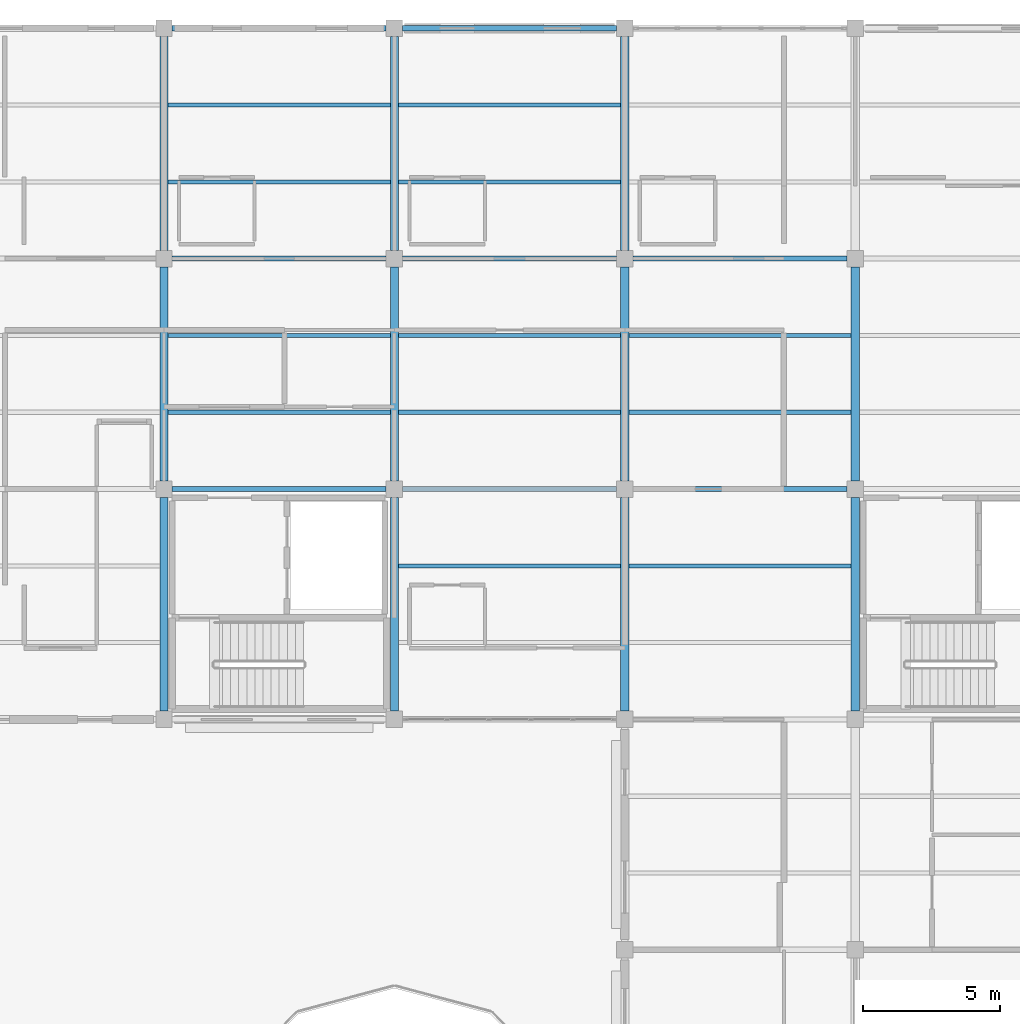
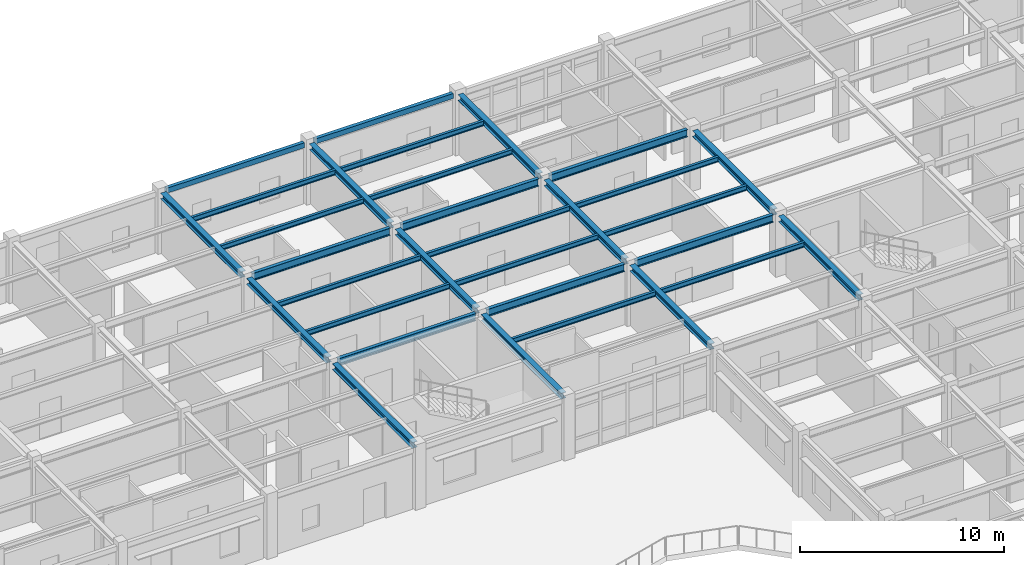
# One storey, part 26 of 86: 31 beams.
"""IFC4 building model written with IfcOpenShell, lengths in metres."""

from ifc_helpers import new_model, si_unit, direction, frame, origin, origin_2d, place, context, subcontext, project, spatial, hollow_rectangle, i_section, extrude, material, material_profile, profile_set, type_object, element, save


model = new_model("IFC4")

# Units and contexts
model_context = context("Model", 3, precision=1e-05, world=origin(), true_north=direction((0.0, 1.0)))
body_context = subcontext(model_context, "Body", "Model", "MODEL_VIEW")
ifc_project = project(units=[si_unit("LENGTHUNIT", "METRE"), si_unit("AREAUNIT", "SQUARE_METRE"), si_unit("VOLUMEUNIT", "CUBIC_METRE"), si_unit("PLANEANGLEUNIT", "RADIAN"), si_unit("MASSUNIT", "GRAM", prefix="KILO")], contexts=[model_context])

# Site, building, storey
site_placement = place(None, origin())
site = spatial("IfcSite", under=ifc_project, at=site_placement, CompositionType="ELEMENT")
building_placement = place(site_placement, origin())
building = spatial("IfcBuilding", under=site, at=building_placement, Name="Bramfleet General Hospital", CompositionType="ELEMENT")
storey_placement = place(building_placement, frame((0.0, 0.0, 18.60009765625)))
storey = spatial("IfcBuildingStorey", under=building, at=storey_placement, Name="L04", CompositionType="ELEMENT", Elevation=18.60009765625)

# Beams
ifc_material = material(Name="Steel S355", Category="steel")
ifc_material_profile_1 = material_profile(ifc_material, i_section(OverallWidth=0.300048828125, OverallDepth=0.35009765625, WebThickness=0.010009765625, FlangeThickness=0.017578125, FilletRadius=0.027099609375, at=origin_2d()), Name="HEA 360")
ifc_profile_set_1 = profile_set([ifc_material_profile_1], Name="Steel S355")
beam_type_1 = type_object("IfcBeamType", Name="BM-HEA360", PredefinedType="BEAM", material=ifc_profile_set_1)
beam_1_placement = place(storey_placement, frame((75.60009765625, 92.699951171875, 3.44482421875), z_axis=(0.0, 1.0, 0.0), x_axis=(-1.0, 0.0, 0.0)))
element("IfcBeam", 1, at=beam_1_placement, inside=storey, type_object=beam_type_1, Name="L04 Grid Beam Y 09-11", PredefinedType="BEAM", context=body_context, shape_type="SweptSolid", body=[
    extrude(i_section(OverallWidth=0.300048828125, OverallDepth=0.35009765625, WebThickness=0.010009765625, FlangeThickness=0.017578125, FilletRadius=0.027099609375, at=origin_2d()), origin(), (0.0, 0.0, 1.0), 7.800048828125),
])
beam_2_placement = place(storey_placement, frame((75.60009765625, 101.10009765625, 3.44482421875), z_axis=(0.0, 1.0, 0.0), x_axis=(-1.0, 0.0, 0.0)))
element("IfcBeam", 2, at=beam_2_placement, inside=storey, type_object=beam_type_1, Name="L04 Grid Beam Y 09-12", PredefinedType="BEAM", context=body_context, shape_type="SweptSolid", body=[
    extrude(i_section(OverallWidth=0.300048828125, OverallDepth=0.35009765625, WebThickness=0.010009765625, FlangeThickness=0.017578125, FilletRadius=0.027099609375, at=origin_2d()), origin(), (0.0, 0.0, 1.0), 7.7998046875),
])
for number, where, z_axis, x_axis, name in (
    (3, (75.60009765625, 109.5, 3.44482421875), (0.0, 1.0, 0.0), (-1.0, 0.0, 0.0), "L04 Grid Beam Y 09-13"),
    (4, (84.0, 92.699951171875, 3.44482421875), (0.0, 1.0, 0.0), (-1.0, 0.0, 0.0), "L04 Grid Beam Y 10-11"),
):
    element("IfcBeam", number, at=place(storey_placement, frame(where, z_axis=z_axis, x_axis=x_axis)), inside=storey, type_object=beam_type_1, Name=name, PredefinedType="BEAM", context=body_context, shape_type="SweptSolid", body=[
        extrude(i_section(OverallWidth=0.300048828125, OverallDepth=0.35009765625, WebThickness=0.010009765625, FlangeThickness=0.017578125, FilletRadius=0.027099609375, at=origin_2d()), origin(), (0.0, 0.0, 1.0), 7.800048828125),
    ])
beam_3_placement = place(storey_placement, frame((84.0, 101.10009765625, 3.44482421875), z_axis=(0.0, 1.0, 0.0), x_axis=(-1.0, 0.0, 0.0)))
element("IfcBeam", 5, at=beam_3_placement, inside=storey, type_object=beam_type_1, Name="L04 Grid Beam Y 10-12", PredefinedType="BEAM", context=body_context, shape_type="SweptSolid", body=[
    extrude(i_section(OverallWidth=0.300048828125, OverallDepth=0.35009765625, WebThickness=0.010009765625, FlangeThickness=0.017578125, FilletRadius=0.027099609375, at=origin_2d()), origin(), (0.0, 0.0, 1.0), 7.7998046875),
])
for number, where, z_axis, x_axis, name in (
    (6, (84.0, 109.5, 3.44482421875), (0.0, 1.0, 0.0), (-1.0, 0.0, 0.0), "L04 Grid Beam Y 10-13"),
    (7, (92.39990234375, 92.699951171875, 3.44482421875), (0.0, 1.0, 0.0), (-1.0, 0.0, 0.0), "L04 Grid Beam Y 11-11"),
):
    element("IfcBeam", number, at=place(storey_placement, frame(where, z_axis=z_axis, x_axis=x_axis)), inside=storey, type_object=beam_type_1, Name=name, PredefinedType="BEAM", context=body_context, shape_type="SweptSolid", body=[
        extrude(i_section(OverallWidth=0.300048828125, OverallDepth=0.35009765625, WebThickness=0.010009765625, FlangeThickness=0.017578125, FilletRadius=0.027099609375, at=origin_2d()), origin(), (0.0, 0.0, 1.0), 7.800048828125),
    ])
beam_4_placement = place(storey_placement, frame((92.39990234375, 101.10009765625, 3.44482421875), z_axis=(0.0, 1.0, 0.0), x_axis=(-1.0, 0.0, 0.0)))
element("IfcBeam", 8, at=beam_4_placement, inside=storey, type_object=beam_type_1, Name="L04 Grid Beam Y 11-12", PredefinedType="BEAM", context=body_context, shape_type="SweptSolid", body=[
    extrude(i_section(OverallWidth=0.300048828125, OverallDepth=0.35009765625, WebThickness=0.010009765625, FlangeThickness=0.017578125, FilletRadius=0.027099609375, at=origin_2d()), origin(), (0.0, 0.0, 1.0), 7.7998046875),
])
for number, where, z_axis, x_axis, name in (
    (9, (92.39990234375, 109.5, 3.44482421875), (0.0, 1.0, 0.0), (-1.0, 0.0, 0.0), "L04 Grid Beam Y 11-13"),
    (10, (100.800048828125, 92.699951171875, 3.44482421875), (0.0, 1.0, 0.0), (-1.0, 0.0, 0.0), "L04 Grid Beam Y 12-11"),
):
    element("IfcBeam", number, at=place(storey_placement, frame(where, z_axis=z_axis, x_axis=x_axis)), inside=storey, type_object=beam_type_1, Name=name, PredefinedType="BEAM", context=body_context, shape_type="SweptSolid", body=[
        extrude(i_section(OverallWidth=0.300048828125, OverallDepth=0.35009765625, WebThickness=0.010009765625, FlangeThickness=0.017578125, FilletRadius=0.027099609375, at=origin_2d()), origin(), (0.0, 0.0, 1.0), 7.800048828125),
    ])
beam_5_placement = place(storey_placement, frame((100.800048828125, 101.10009765625, 3.44482421875), z_axis=(0.0, 1.0, 0.0), x_axis=(-1.0, 0.0, 0.0)))
element("IfcBeam", 11, at=beam_5_placement, inside=storey, type_object=beam_type_1, Name="L04 Grid Beam Y 12-12", PredefinedType="BEAM", context=body_context, shape_type="SweptSolid", body=[
    extrude(i_section(OverallWidth=0.300048828125, OverallDepth=0.35009765625, WebThickness=0.010009765625, FlangeThickness=0.017578125, FilletRadius=0.027099609375, at=origin_2d()), origin(), (0.0, 0.0, 1.0), 7.7998046875),
])
ifc_material_profile_2 = material_profile(ifc_material, i_section(OverallWidth=0.14990234375, OverallDepth=0.300048828125, WebThickness=0.007080078125, FlangeThickness=0.0107421875, FilletRadius=0.014892578125, at=origin_2d()), Name="IPE 300")
ifc_profile_set_2 = profile_set([ifc_material_profile_2], Name="Steel S355")
beam_type_2 = type_object("IfcBeamType", Name="BM-IPE300", PredefinedType="JOIST", material=ifc_profile_set_2)
for number, where, z_axis, x_axis, name in (
    (12, (75.75, 103.60009765625, 3.469970703125), (1.0, 0.0, 0.0), (0.0, 1.0, 0.0), "L04 Secondary Joist 09-12-1"),
    (13, (75.75, 106.39990234375, 3.469970703125), (1.0, 0.0, 0.0), (0.0, 1.0, 0.0), "L04 Secondary Joist 09-12-2"),
    (14, (75.75, 112.0, 3.469970703125), (1.0, 0.0, 0.0), (0.0, 1.0, 0.0), "L04 Secondary Joist 09-13-1"),
    (15, (75.75, 114.800048828125, 3.469970703125), (1.0, 0.0, 0.0), (0.0, 1.0, 0.0), "L04 Secondary Joist 09-13-2"),
    (16, (84.14990234375, 98.0, 3.469970703125), (1.0, 0.0, 0.0), (0.0, 1.0, 0.0), "L04 Secondary Joist 10-11-2"),
    (17, (84.14990234375, 103.60009765625, 3.469970703125), (1.0, 0.0, 0.0), (0.0, 1.0, 0.0), "L04 Secondary Joist 10-12-1"),
    (18, (84.14990234375, 106.39990234375, 3.469970703125), (1.0, 0.0, 0.0), (0.0, 1.0, 0.0), "L04 Secondary Joist 10-12-2"),
    (19, (84.14990234375, 112.0, 3.469970703125), (1.0, 0.0, 0.0), (0.0, 1.0, 0.0), "L04 Secondary Joist 10-13-1"),
    (20, (84.14990234375, 114.800048828125, 3.469970703125), (1.0, 0.0, 0.0), (0.0, 1.0, 0.0), "L04 Secondary Joist 10-13-2"),
):
    element("IfcBeam", number, at=place(storey_placement, frame(where, z_axis=z_axis, x_axis=x_axis)), inside=storey, type_object=beam_type_2, Name=name, PredefinedType="JOIST", context=body_context, shape_type="SweptSolid", body=[
        extrude(i_section(OverallWidth=0.14990234375, OverallDepth=0.300048828125, WebThickness=0.007080078125, FlangeThickness=0.0107421875, FilletRadius=0.014892578125, at=origin_2d()), origin(), (0.0, 0.0, 1.0), 8.10009765625),
    ])
for number, where, z_axis, x_axis, name in (
    (21, (92.550048828125, 98.0, 3.469970703125), (1.0, 0.0, 0.0), (0.0, 1.0, 0.0), "L04 Secondary Joist 11-11-2"),
    (22, (92.550048828125, 103.60009765625, 3.469970703125), (1.0, 0.0, 0.0), (0.0, 1.0, 0.0), "L04 Secondary Joist 11-12-1"),
    (23, (92.550048828125, 106.39990234375, 3.469970703125), (1.0, 0.0, 0.0), (0.0, 1.0, 0.0), "L04 Secondary Joist 11-12-2"),
):
    element("IfcBeam", number, at=place(storey_placement, frame(where, z_axis=z_axis, x_axis=x_axis)), inside=storey, type_object=beam_type_2, Name=name, PredefinedType="JOIST", context=body_context, shape_type="SweptSolid", body=[
        extrude(i_section(OverallWidth=0.14990234375, OverallDepth=0.300048828125, WebThickness=0.007080078125, FlangeThickness=0.0107421875, FilletRadius=0.014892578125, at=origin_2d()), origin(), (0.0, 0.0, 1.0), 8.099853515625),
    ])
ifc_material_profile_3 = material_profile(ifc_material, i_section(OverallWidth=0.18994140625, OverallDepth=0.449951171875, WebThickness=0.009521484375, FlangeThickness=0.0146484375, FilletRadius=0.02099609375, at=origin_2d()), Name="IPE 450")
ifc_profile_set_3 = profile_set([ifc_material_profile_3], Name="Steel S355")
beam_type_3 = type_object("IfcBeamType", Name="BM-IPE450", PredefinedType="BEAM", material=ifc_profile_set_3)
for number, where, z_axis, x_axis, name in (
    (24, (75.89990234375, 100.800048828125, 3.39501953125), (1.0, 0.0, 0.0), (0.0, 1.0, 0.0), "L04 Grid Beam X 09-12"),
    (25, (75.89990234375, 109.199951171875, 3.39501953125), (1.0, 0.0, 0.0), (0.0, 1.0, 0.0), "L04 Grid Beam X 09-13"),
    (26, (84.300048828125, 100.800048828125, 3.39501953125), (1.0, 0.0, 0.0), (0.0, 1.0, 0.0), "L04 Grid Beam X 10-12"),
    (27, (84.300048828125, 109.199951171875, 3.39501953125), (1.0, 0.0, 0.0), (0.0, 1.0, 0.0), "L04 Grid Beam X 10-13"),
    (28, (92.699951171875, 100.800048828125, 3.39501953125), (1.0, 0.0, 0.0), (0.0, 1.0, 0.0), "L04 Grid Beam X 11-12"),
    (29, (92.699951171875, 109.199951171875, 3.39501953125), (1.0, 0.0, 0.0), (0.0, 1.0, 0.0), "L04 Grid Beam X 11-13"),
):
    element("IfcBeam", number, at=place(storey_placement, frame(where, z_axis=z_axis, x_axis=x_axis)), inside=storey, type_object=beam_type_3, Name=name, PredefinedType="BEAM", context=body_context, shape_type="SweptSolid", body=[
        extrude(i_section(OverallWidth=0.18994140625, OverallDepth=0.449951171875, WebThickness=0.009521484375, FlangeThickness=0.0146484375, FilletRadius=0.02099609375, at=origin_2d()), origin(), (0.0, 0.0, 1.0), 7.800048828125),
    ])
ifc_material_profile_4 = material_profile(ifc_material, hollow_rectangle(XDim=0.199951171875, YDim=0.300048828125, WallThickness=0.012451171875, at=origin_2d()), Name="RHS 300x200x12.5")
ifc_profile_set_4 = profile_set([ifc_material_profile_4], Name="Steel S355")
beam_type_4 = type_object("IfcBeamType", Name="BM-RHS300", PredefinedType="SPANDREL", material=ifc_profile_set_4)
for number, where, z_axis, x_axis, name in (
    (30, (75.89990234375, 117.60009765625, 3.469970703125), (1.0, 0.0, 0.0), (0.0, 1.0, 0.0), "L04 Grid Beam X 09-14"),
    (31, (84.300048828125, 117.60009765625, 3.469970703125), (1.0, 0.0, 0.0), (0.0, 1.0, 0.0), "L04 Grid Beam X 10-14"),
):
    element("IfcBeam", number, at=place(storey_placement, frame(where, z_axis=z_axis, x_axis=x_axis)), inside=storey, type_object=beam_type_4, Name=name, PredefinedType="SPANDREL", context=body_context, shape_type="SweptSolid", body=[
        extrude(hollow_rectangle(XDim=0.199951171875, YDim=0.300048828125, WallThickness=0.012451171875, at=origin_2d()), origin(), (0.0, 0.0, 1.0), 7.800048828125),
    ])

save(model, "model.ifc")
